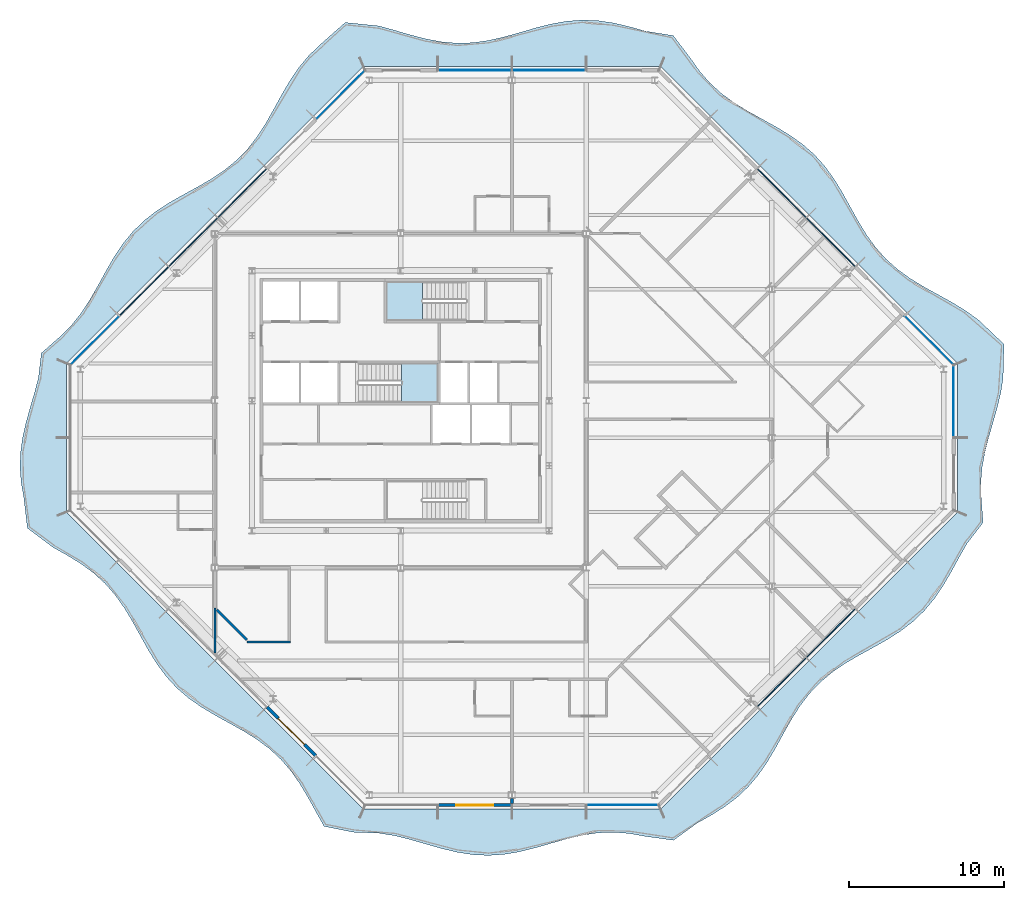
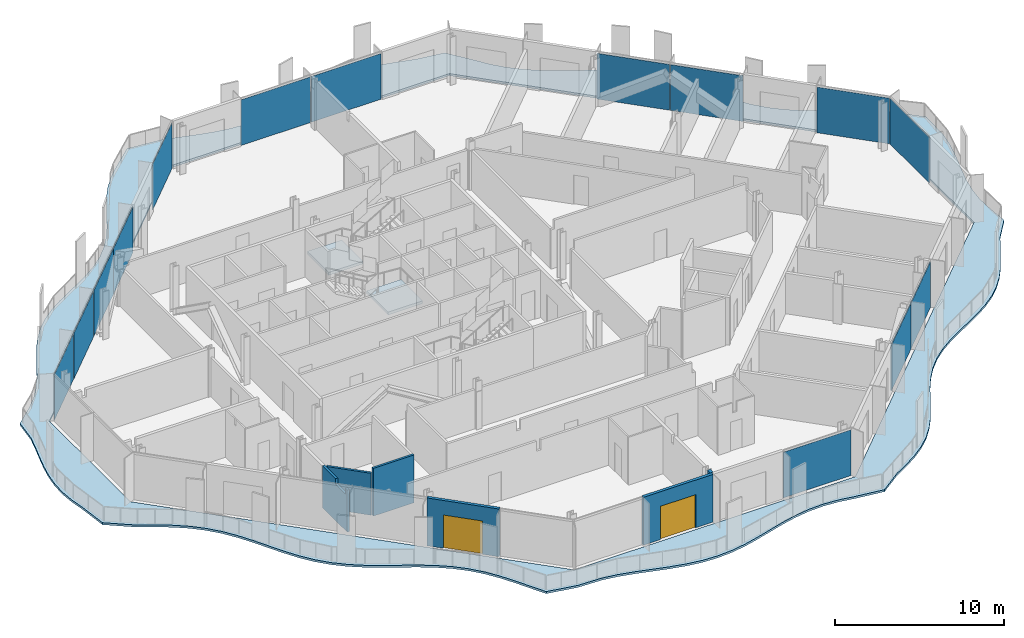
# One storey, part 6 of 17: 14 plates, 6 walls, 3 slabs, 2 doors, 2 openings, 8 elements without a shape of their own.
"""IFC4 building model written with IfcOpenShell, lengths in metres."""

from ifc_helpers import new_model, si_unit, direction, frame, frame_2d, origin, origin_2d, place, context, subcontext, project, spatial, polyline, rectangle, outline, extrude, material, layer, layer_set, type_object, element, fill, aggregate, save


model = new_model("IFC4")

# Units and contexts
model_context = context("Model", 3, precision=1e-05, world=origin(), true_north=direction((0.0, 1.0)))
body_context = subcontext(model_context, "Body", "Model", "MODEL_VIEW")
ifc_project = project(units=[si_unit("LENGTHUNIT", "METRE"), si_unit("AREAUNIT", "SQUARE_METRE"), si_unit("VOLUMEUNIT", "CUBIC_METRE"), si_unit("PLANEANGLEUNIT", "RADIAN"), si_unit("MASSUNIT", "GRAM", prefix="KILO")], contexts=[model_context])

# Site, building, storey
site_placement = place(None, origin())
site = spatial("IfcSite", under=ifc_project, at=site_placement, CompositionType="ELEMENT")
building_placement = place(site_placement, origin())
building = spatial("IfcBuilding", under=site, at=building_placement, Name="Cairn Pilgrim Tower", CompositionType="ELEMENT")
storey_placement = place(building_placement, frame((0.0, 0.0, 243.0)))
storey = spatial("IfcBuildingStorey", under=building, at=storey_placement, Name="L62", CompositionType="ELEMENT", Elevation=243.0)

# Slab
ifc_material_1 = material(Name="Concrete C35/45", Category="concrete")
ifc_layer_1 = layer(ifc_material_1, 0.14990234375)
ifc_layer_set_1 = layer_set([ifc_layer_1], Name="BALCONY SLAB 150 CONCRETE C35/45")
slab_type_1 = type_object("IfcSlabType", Name="BALCONY SLAB 150 CONCRETE C35/45", PredefinedType="FLOOR", material=ifc_layer_set_1)
slab_1_placement = place(storey_placement, frame((0.0, 0.0, -0.14990234375)))
element("IfcSlab", 1, at=slab_1_placement, inside=storey, type_object=slab_type_1, Name="Balcony slab BS-1", PredefinedType="FLOOR", context=body_context, shape_type="SweptSolid", body=[
    extrude(outline(polyline([(2.256103515625, -25.121826171875), (4.1787109375, -25.5), (5.810546875, -25.558349609375), (6.821044921875, -25.72412109375), (7.83154296875, -25.9716796875), (8.842041015625, -26.262451171875), (9.8525390625, -26.55126953125), (10.863037109375, -26.793212890625), (11.873779296875, -26.950927734375), (12.88427734375, -26.99951171875), (13.894775390625, -26.931640625), (14.9052734375, -26.758056640625), (15.915771484375, -26.505126953125), (16.92626953125, -26.212890625), (17.936767578125, -25.92626953125), (18.947265625, -25.68994140625), (19.9580078125, -25.54052734375), (20.968505859375, -25.501708984375), (21.97900390625, -25.578857421875), (22.989501953125, -25.760498046875), (24.8359375, -26.018310546875), (26.344970703125, -24.922607421875), (27.256103515625, -24.41162109375), (28.1298828125, -23.86328125), (28.941162109375, -23.25244140625), (29.6748046875, -22.563720703125), (30.326904296875, -21.793701171875), (30.906982421875, -20.951416015625), (31.434814453125, -20.056884765625), (31.938720703125, -19.138916015625), (32.450927734375, -18.228759765625), (33.001708984375, -17.357177734375), (33.61572265625, -16.549072265625), (34.30810546875, -15.8193359375), (35.081787109375, -15.170654296875), (35.9267578125, -14.593505859375), (36.822998046875, -14.0673828125), (37.741455078125, -13.563720703125), (38.650390625, -13.050537109375), (39.51953125, -12.497314453125), (40.324462890625, -11.8798828125), (41.050537109375, -11.183837890625), (41.695556640625, -10.40673828125), (42.27001953125, -9.558837890625), (42.79443359375, -8.6611328125), (43.2978515625, -7.7421875), (43.812255859375, -6.83447265625), (44.8515625, -5.484130859375), (44.72705078125, -3.840087890625), (44.704345703125, -2.8798828125), (44.7861328125, -1.919921875), (44.96142578125, -0.9599609375), (45.205078125, 0.0), (45.483154296875, 0.9599609375), (45.7568359375, 1.919921875), (45.987060546875, 2.8798828125), (46.14208984375, 3.840087890625), (46.199951171875, 6.04248046875), (44.572998046875, 7.59521484375), (43.7490234375, 8.193359375), (42.866455078125, 8.733154296875), (41.95166015625, 9.240478515625), (41.0361328125, 9.747314453125), (40.1513671875, 10.28466796875), (39.32373046875, 10.87939453125), (38.57177734375, 11.549560546875), (37.9013671875, 12.30126953125), (37.306396484375, 13.12841796875), (36.768798828125, 14.01318359375), (36.261962890625, 14.9287109375), (35.754638671875, 15.843505859375), (35.215087890625, 16.726318359375), (34.6171875, 17.550537109375), (33.943359375, 18.299072265625), (33.18798828125, 18.9658203125), (32.35791015625, 19.557861328125), (31.47119140625, 20.09326171875), (30.554931640625, 20.599365234375), (29.640869140625, 21.107666015625), (28.76025390625, 21.649169921875), (27.939208984375, 22.250244140625), (27.1943359375, 22.927734375), (26.531005859375, 23.686767578125), (25.942138671875, 24.52001953125), (24.8251953125, 25.991943359375), (22.989501953125, 26.2841796875), (21.97900390625, 26.571044921875), (20.968505859375, 26.80810546875), (19.9580078125, 26.95849609375), (18.947265625, 26.99853515625), (17.936767578125, 26.92236328125), (16.92626953125, 26.74169921875), (15.915771484375, 26.484619140625), (14.9052734375, 26.19091796875), (13.894775390625, 25.906494140625), (12.88427734375, 25.675537109375), (11.873779296875, 25.533935546875), (10.863037109375, 25.50341796875), (9.8525390625, 25.589111328125), (8.842041015625, 25.77734375), (7.83154296875, 26.0390625), (6.821044921875, 26.333740234375), (5.810546875, 26.615234375), (3.62353515625, 26.840087890625), (1.98681640625, 25.390869140625), (1.260498046875, 24.695068359375), (0.615234375, 23.91796875), (0.041015625, 23.0703125), (-0.483642578125, 22.172607421875), (-0.987060546875, 21.253662109375), (-1.50146484375, 20.345947265625), (-2.056884765625, 19.47900390625), (-2.677490234375, 18.677490234375), (-3.377197265625, 17.954833984375), (-4.15771484375, 17.313232421875), (-5.00830078125, 16.741455078125), (-5.907470703125, 16.218505859375), (-6.826416015625, 15.71533203125), (-7.733154296875, 15.19970703125), (-8.597412109375, 14.641845703125), (-9.395751953125, 14.017822265625), (-10.114501953125, 13.314453125), (-10.7529296875, 12.530517578125), (-11.32177734375, 11.67724609375), (-11.843017578125, 10.7763671875), (-12.34619140625, 9.857421875), (-12.863037109375, 8.951904296875), (-13.423583984375, 8.09033203125), (-14.05078125, 7.29541015625), (-14.7578125, 6.580078125), (-16.019775390625, 5.470947265625), (-16.213623046875, 3.840087890625), (-16.46875, 2.8798828125), (-16.74951171875, 1.919921875), (-17.01611328125, 0.9599609375), (-17.2314453125, 0.0), (-17.364990234375, -0.9599609375), (-17.398193359375, -1.919921875), (-17.326171875, -2.8798828125), (-17.159423828125, -3.840087890625), (-16.9208984375, -5.84423828125), (-15.266357421875, -7.088623046875), (-14.3525390625, -7.596923828125), (-13.4716796875, -8.138427734375), (-12.650390625, -8.7392578125), (-11.905517578125, -9.41650390625), (-11.2421875, -10.17529296875), (-10.653076171875, -11.008544921875), (-10.119384765625, -11.897216796875), (-9.61376953125, -12.813720703125), (-9.104736328125, -13.72705078125), (-8.56103515625, -14.605712890625), (-7.95703125, -15.423828125), (-7.276123046875, -16.1650390625), (-6.513671875, -16.82470703125), (-5.677490234375, -17.410888671875), (-4.787109375, -17.942626953125), (-3.869873046875, -18.447509765625), (-2.95751953125, -18.95751953125), (-2.081298828125, -19.50341796875), (-1.26611328125, -20.110595703125), (-0.528564453125, -20.795166015625), (0.12744140625, -21.561279296875), (0.710693359375, -22.400390625), (1.24072265625, -23.292724609375), (1.7451171875, -24.21044921875), (2.256103515625, -25.121826171875)]), holes=[polyline([(24.0, -24.0), (4.800048828125, -24.0), (-14.39990234375, -4.800048828125), (-14.39990234375, 4.800048828125), (4.800048828125, 24.0), (24.0, 24.0), (43.199951171875, 4.800048828125), (43.199951171875, -4.800048828125), (24.0, -24.0)])]), origin(), (0.0, 0.0, 1.0), 0.14990234375),
])

# Curtain wall, plates
ifc_material_2 = material(Name="Aluminium alloy 6063-T6 bronze anodised with Bronze tinted laminated low-E glass 8+16+8.8", Category="aluminium")
curtain_wall_type_1 = type_object("IfcCurtainWallType", Name="CHAMFER CORNER CURTAIN WALL", PredefinedType="NOTDEFINED", material=ifc_material_2)
curtain_wall_1_placement = place(storey_placement, origin())
curtain_wall_1 = element("IfcCurtainWall", 2, at=curtain_wall_1_placement, inside=storey, type_object=curtain_wall_type_1, Name="Chamfer Corner Curtain Wall SE", PredefinedType="NOTDEFINED")
ifc_material_3 = material(Name="Bronze anodised aluminium spandrel panel with mineral wool insulation", Category="aluminium")
ifc_layer_2 = layer(ifc_material_3, 0.06005859375)
ifc_layer_set_2 = layer_set([ifc_layer_2], Name="SPANDREL PANEL 4431x3300")
plate_type_1 = type_object("IfcPlateType", Name="SPANDREL PANEL 4431x3300", PredefinedType="CURTAIN_PANEL", material=ifc_layer_set_2)
plate_1_placement = place(storey_placement, frame((31.83544921875, -15.81103515625, 0.0), z_axis=(0.0, 0.0, 1.0), x_axis=(0.707106781187, 0.707106781187, 0.0)))
plate_1 = element("IfcPlate", 3, at=plate_1_placement, type_object=plate_type_1, Name="Spandrel Panel SE3-1", PredefinedType="CURTAIN_PANEL", context=body_context, shape_type="SweptSolid", body=[
    extrude(rectangle(XDim=4.430908203125, YDim=0.06005859375, at=origin_2d()), origin(), (0.0, 0.0, 1.0), 3.300048828125),
])
plate_2_placement = place(storey_placement, frame((35.010986328125, -12.635498046875, 0.0), z_axis=(0.0, 0.0, 1.0), x_axis=(0.707106781187, 0.707106781187, 0.0)))
plate_2 = element("IfcPlate", 4, at=plate_2_placement, type_object=plate_type_1, Name="Spandrel Panel SE4-1", PredefinedType="CURTAIN_PANEL", context=body_context, shape_type="SweptSolid", body=[
    extrude(rectangle(XDim=4.430908203125, YDim=0.06005859375, at=origin_2d()), origin(), (0.0, 0.0, 1.0), 3.300048828125),
])
aggregate(curtain_wall_1, [plate_1, plate_2])

curtain_wall_2_placement = place(storey_placement, origin())
curtain_wall_2 = element("IfcCurtainWall", 5, at=curtain_wall_2_placement, inside=storey, type_object=curtain_wall_type_1, Name="Chamfer Corner Curtain Wall NE", PredefinedType="NOTDEFINED")
plate_3_placement = place(storey_placement, frame((35.010986328125, 12.635498046875, 0.0), z_axis=(0.0, 0.0, 1.0), x_axis=(-0.707106781187, 0.707106781187, 0.0)))
plate_3 = element("IfcPlate", 6, at=plate_3_placement, type_object=plate_type_1, Name="Spandrel Panel NE3-1", PredefinedType="CURTAIN_PANEL", context=body_context, shape_type="SweptSolid", body=[
    extrude(rectangle(XDim=4.430908203125, YDim=0.06005859375, at=origin_2d()), origin(), (0.0, 0.0, 1.0), 3.300048828125),
])
plate_4_placement = place(storey_placement, frame((31.83544921875, 15.81103515625, 0.0), z_axis=(0.0, 0.0, 1.0), x_axis=(-0.707106781187, 0.707106781187, 0.0)))
plate_4 = element("IfcPlate", 7, at=plate_4_placement, type_object=plate_type_1, Name="Spandrel Panel NE4-1", PredefinedType="CURTAIN_PANEL", context=body_context, shape_type="SweptSolid", body=[
    extrude(rectangle(XDim=4.430908203125, YDim=0.06005859375, at=origin_2d()), origin(), (0.0, 0.0, 1.0), 3.300048828125),
])

curtain_wall_3_placement = place(storey_placement, origin())
curtain_wall_3 = element("IfcCurtainWall", 8, at=curtain_wall_3_placement, inside=storey, type_object=curtain_wall_type_1, Name="Chamfer Corner Curtain Wall NW", PredefinedType="NOTDEFINED")
plate_5_placement = place(storey_placement, frame((-3.035400390625, 15.81103515625, 0.0), z_axis=(0.0, 0.0, 1.0), x_axis=(-0.707106781187, -0.707106781187, 0.0)))
plate_5 = element("IfcPlate", 9, at=plate_5_placement, type_object=plate_type_1, Name="Spandrel Panel NW3-1", PredefinedType="CURTAIN_PANEL", context=body_context, shape_type="SweptSolid", body=[
    extrude(rectangle(XDim=4.430908203125, YDim=0.06005859375, at=origin_2d()), origin(), (0.0, 0.0, 1.0), 3.300048828125),
])
plate_6_placement = place(storey_placement, frame((-6.2109375, 12.635498046875, 0.0), z_axis=(0.0, 0.0, 1.0), x_axis=(-0.707106781187, -0.707106781187, 0.0)))
plate_6 = element("IfcPlate", 10, at=plate_6_placement, type_object=plate_type_1, Name="Spandrel Panel NW4-1", PredefinedType="CURTAIN_PANEL", context=body_context, shape_type="SweptSolid", body=[
    extrude(rectangle(XDim=4.430908203125, YDim=0.06005859375, at=origin_2d()), origin(), (0.0, 0.0, 1.0), 3.300048828125),
])
plate_7_placement = place(storey_placement, frame((-9.38671875, 9.459716796875, 0.0), z_axis=(0.0, 0.0, 1.0), x_axis=(-0.707106781187, -0.707106781187, 0.0)))
plate_7 = element("IfcPlate", 11, at=plate_7_placement, type_object=plate_type_1, Name="Spandrel Panel NW5-1", PredefinedType="CURTAIN_PANEL", context=body_context, shape_type="SweptSolid", body=[
    extrude(rectangle(XDim=4.430908203125, YDim=0.06005859375, at=origin_2d()), origin(), (0.0, 0.0, 1.0), 3.300048828125),
])

# Stair, slab
ifc_material_4 = material(Name="Concrete C32/40", Category="concrete")
stair_type = type_object("IfcStairType", Name="EXIT STAIR 1200", PredefinedType="HALF_TURN_STAIR", material=ifc_material_4)
stair_1_placement = place(storey_placement, origin())
stair_1 = element("IfcStair", 12, at=stair_1_placement, inside=storey, type_object=stair_type, Name="L62 Exit Stair B", PredefinedType="HALF_TURN_STAIR")
ifc_layer_3 = layer(ifc_material_4, 0.199951171875)
ifc_layer_set_3 = layer_set([ifc_layer_3], Name="STAIR LANDING 200")
slab_type_2 = type_object("IfcSlabType", Name="STAIR LANDING 200", PredefinedType="LANDING", material=ifc_layer_set_3)
slab_2_placement = place(storey_placement, frame((0.0, 0.0, 1.60009765625)))
slab_2 = element("IfcSlab", 13, at=slab_2_placement, type_object=slab_type_2, Name="ST-B landing 1", PredefinedType="LANDING", context=body_context, shape_type="SweptSolid", body=[
    extrude(outline(polyline([(7.27490234375, 2.27490234375), (9.625, 2.27490234375), (9.625, 4.824951171875), (7.27490234375, 4.824951171875), (7.27490234375, 2.27490234375)])), origin(), (0.0, 0.0, 1.0), 0.199951171875),
])
aggregate(stair_1, [slab_2])

stair_2_placement = place(storey_placement, origin())
stair_2 = element("IfcStair", 14, at=stair_2_placement, inside=storey, type_object=stair_type, Name="L62 Exit Stair C", PredefinedType="HALF_TURN_STAIR")
slab_3_placement = place(storey_placement, frame((0.0, 0.0, 1.60009765625)))
slab_3 = element("IfcSlab", 15, at=slab_3_placement, type_object=slab_type_2, Name="ST-C landing 1", PredefinedType="LANDING", context=body_context, shape_type="SweptSolid", body=[
    extrude(outline(polyline([(8.625, 10.10009765625), (6.27490234375, 10.10009765625), (6.27490234375, 7.574951171875), (8.625, 7.574951171875), (8.625, 10.10009765625)])), origin(), (0.0, 0.0, 1.0), 0.199951171875),
])
aggregate(stair_2, [slab_3])

# Plate
ifc_material_5 = material(Name="Bronze tinted laminated low-E glass 8+16+8.8", Category="glass")
ifc_layer_4 = layer(ifc_material_5, 0.033935546875)
ifc_layer_set_4 = layer_set([ifc_layer_4], Name="VISION GLAZING 4421x3300")
plate_type_2 = type_object("IfcPlateType", Name="VISION GLAZING 4421x3300", PredefinedType="CURTAIN_PANEL", material=ifc_layer_set_4)
plate_8_placement = place(storey_placement, frame((41.358642578125, 6.287841796875, 0.0), z_axis=(0.0, 0.0, 1.0), x_axis=(-0.707106781187, 0.707106781187, 0.0)))
plate_8 = element("IfcPlate", 16, at=plate_8_placement, type_object=plate_type_2, Name="Vision Glazing NE1-1", PredefinedType="CURTAIN_PANEL", context=body_context, shape_type="SweptSolid", body=[
    extrude(rectangle(XDim=4.4208984375, YDim=0.033935546875, at=origin_2d()), origin(), (0.0, 0.0, 1.0), 3.300048828125),
])

aggregate(curtain_wall_2, [plate_8, plate_3, plate_4])

plate_9_placement = place(storey_placement, frame((3.312255859375, 22.15869140625, 0.0), z_axis=(0.0, 0.0, 1.0), x_axis=(-0.707106781187, -0.707106781187, 0.0)))
plate_9 = element("IfcPlate", 17, at=plate_9_placement, type_object=plate_type_2, Name="Vision Glazing NW1-1", PredefinedType="CURTAIN_PANEL", context=body_context, shape_type="SweptSolid", body=[
    extrude(rectangle(XDim=4.4208984375, YDim=0.033935546875, at=origin_2d()), origin(), (0.0, 0.0, 1.0), 3.300048828125),
])

plate_10_placement = place(storey_placement, frame((-12.55859375, 6.287841796875, 0.0), z_axis=(0.0, 0.0, 1.0), x_axis=(-0.707106781187, -0.707106781187, 0.0)))
plate_10 = element("IfcPlate", 18, at=plate_10_placement, type_object=plate_type_2, Name="Vision Glazing NW6-1", PredefinedType="CURTAIN_PANEL", context=body_context, shape_type="SweptSolid", body=[
    extrude(rectangle(XDim=4.4208984375, YDim=0.033935546875, at=origin_2d()), origin(), (0.0, 0.0, 1.0), 3.300048828125),
])

aggregate(curtain_wall_3, [plate_9, plate_5, plate_6, plate_7, plate_10])

# Curtain wall, plate
curtain_wall_type_2 = type_object("IfcCurtainWallType", Name="TOWER STICK CURTAIN WALL NS", PredefinedType="NOTDEFINED", material=ifc_material_2)
curtain_wall_4_placement = place(storey_placement, origin())
curtain_wall_4 = element("IfcCurtainWall", 19, at=curtain_wall_4_placement, inside=storey, type_object=curtain_wall_type_2, Name="Tower Stick Curtain Wall Ns S", PredefinedType="NOTDEFINED")
ifc_layer_5 = layer(ifc_material_5, 0.033935546875)
ifc_layer_set_5 = layer_set([ifc_layer_5], Name="VISION GLAZING 4626x3300")
plate_type_3 = type_object("IfcPlateType", Name="VISION GLAZING 4626x3300", PredefinedType="CURTAIN_PANEL", material=ifc_layer_set_5)
plate_11_placement = place(storey_placement, frame((21.543212890625, -23.75, 0.0), z_axis=(0.0, 0.0, 1.0), x_axis=(1.0, 0.0, 0.0)))
plate_11 = element("IfcPlate", 20, at=plate_11_placement, type_object=plate_type_3, Name="Vision Glazing S4-1", PredefinedType="CURTAIN_PANEL", context=body_context, shape_type="SweptSolid", body=[
    extrude(rectangle(XDim=4.62646484375, YDim=0.033935546875, at=origin_2d()), origin(), (0.0, 0.0, 1.0), 3.300048828125),
])
aggregate(curtain_wall_4, [plate_11])

curtain_wall_type_3 = type_object("IfcCurtainWallType", Name="TOWER STICK CURTAIN WALL EW", PredefinedType="NOTDEFINED", material=ifc_material_2)
curtain_wall_5_placement = place(storey_placement, origin())
curtain_wall_5 = element("IfcCurtainWall", 21, at=curtain_wall_5_placement, inside=storey, type_object=curtain_wall_type_3, Name="Tower Stick Curtain Wall Ew E", PredefinedType="NOTDEFINED")
plate_12_placement = place(storey_placement, frame((42.949951171875, 2.34326171875, 0.0), z_axis=(0.0, 0.0, 1.0), x_axis=(0.0, 1.0, 0.0)))
plate_12 = element("IfcPlate", 22, at=plate_12_placement, type_object=plate_type_3, Name="Vision Glazing E2-1", PredefinedType="CURTAIN_PANEL", context=body_context, shape_type="SweptSolid", body=[
    extrude(rectangle(XDim=4.62646484375, YDim=0.033935546875, at=origin_2d()), origin(), (0.0, 0.0, 1.0), 3.300048828125),
])
aggregate(curtain_wall_5, [plate_12])

# Curtain wall, plates
curtain_wall_6_placement = place(storey_placement, origin())
curtain_wall_6 = element("IfcCurtainWall", 23, at=curtain_wall_6_placement, inside=storey, type_object=curtain_wall_type_2, Name="Tower Stick Curtain Wall Ns N", PredefinedType="NOTDEFINED")
ifc_layer_6 = layer(ifc_material_5, 0.033935546875)
ifc_layer_set_6 = layer_set([ifc_layer_6], Name="VISION GLAZING 4740x3300")
plate_type_4 = type_object("IfcPlateType", Name="VISION GLAZING 4740x3300", PredefinedType="CURTAIN_PANEL", material=ifc_layer_set_6)
plate_13_placement = place(storey_placement, frame((16.800048828125, 23.75, 0.0), z_axis=(0.0, 0.0, 1.0), x_axis=(-1.0, 0.0, 0.0)))
plate_13 = element("IfcPlate", 24, at=plate_13_placement, type_object=plate_type_4, Name="Vision Glazing N2-1", PredefinedType="CURTAIN_PANEL", context=body_context, shape_type="SweptSolid", body=[
    extrude(rectangle(XDim=4.739990234375, YDim=0.033935546875, at=origin_2d()), origin(), (0.0, 0.0, 1.0), 3.300048828125),
])
plate_14_placement = place(storey_placement, frame((12.0, 23.75, 0.0), z_axis=(0.0, 0.0, 1.0), x_axis=(-1.0, 0.0, 0.0)))
plate_14 = element("IfcPlate", 25, at=plate_14_placement, type_object=plate_type_4, Name="Vision Glazing N3-1", PredefinedType="CURTAIN_PANEL", context=body_context, shape_type="SweptSolid", body=[
    extrude(rectangle(XDim=4.739990234375, YDim=0.033935546875, at=origin_2d()), origin(), (0.0, 0.0, 1.0), 3.300048828125),
])
aggregate(curtain_wall_6, [plate_13, plate_14])

# Wall, opening, door
ifc_material_6 = material(Name="Bronze anodised aluminium insulated sandwich panel with mineral wool fill", Category="aluminium")
ifc_layer_7 = layer(ifc_material_6, 0.199951171875)
ifc_layer_set_7 = layer_set([ifc_layer_7], Name="BRONZE INFILL FRAME WALL 200")
wall_type_1 = type_object("IfcWallType", Name="BRONZE INFILL FRAME WALL 200", PredefinedType="NOTDEFINED", material=ifc_layer_set_7)
wall_1_placement = place(storey_placement, frame((9.6298828125, -23.75, 0.0), z_axis=(0.0, 0.0, 1.0), x_axis=(1.0, 0.0, 0.0)))
wall_1 = element("IfcWall", 26, at=wall_1_placement, inside=storey, type_object=wall_type_1, Name="Bronze infill frame wall IW-S2", PredefinedType="NOTDEFINED", context=body_context, shape_type="SweptSolid", body=[
    extrude(rectangle(XDim=4.740234375, YDim=0.199951171875, at=frame_2d((2.3701171875, 0.0))), origin(), (0.0, 0.0, 1.0), 3.449951171875),
])
opening_1_placement = place(wall_1_placement, frame((1.169921875, 0.0, 0.0)))
opening_1 = element("IfcOpeningElement", 27, at=opening_1_placement, cuts=wall_1, Name="Opening 6215B2", PredefinedType="OPENING", context=body_context, shape_type="SweptSolid", body=[
    extrude(rectangle(XDim=2.39990234375, YDim=2.39990234375, at=frame_2d((1.199951171875, 1.199951171875))), frame((0.0, 0.10986328125, 0.0), z_axis=(0.0, -1.0, 0.0), x_axis=(1.0, 0.0, 0.0)), (0.0, 0.0, 1.0), 0.219970703125),
])
ifc_material_7 = material(Name="Bronze anodised aluminium frame with tinted low-E glass", Category="aluminium")
door_type = type_object("IfcDoorType", Name="BALCONY SLIDING DOOR 2400x2400", OperationType="DOUBLE_DOOR_SLIDING", PredefinedType="DOOR", material=ifc_material_7)
door_1_placement = place(opening_1_placement, origin())
door_1 = element("IfcDoor", 28, at=door_1_placement, inside=storey, type_object=door_type, Name="Balcony sliding door 6215B2", OperationType="SINGLE_SWING_LEFT", OverallHeight=2.39990234375, OverallWidth=2.39990234375, PredefinedType="DOOR", context=body_context, shape_type="SweptSolid", body=[
    extrude(rectangle(XDim=2.39990234375, YDim=2.39990234375, at=frame_2d((1.199951171875, 1.199951171875))), frame((0.0, 0.02490234375, 0.0), z_axis=(0.0, -1.0, 0.0), x_axis=(1.0, 0.0, 0.0)), (0.0, 0.0, 1.0), 0.050048828125),
])
fill(opening_1, door_1)

wall_2_placement = place(storey_placement, frame((-1.426513671875, -17.419921875, 0.0), z_axis=(0.0, 0.0, 1.0), x_axis=(0.707106781187, -0.707106781187, 0.0)))
wall_2 = element("IfcWall", 29, at=wall_2_placement, inside=storey, type_object=wall_type_1, Name="Bronze infill frame wall IW-SW5", PredefinedType="NOTDEFINED", context=body_context, shape_type="SweptSolid", body=[
    extrude(rectangle(XDim=4.43115234375, YDim=0.199951171875, at=frame_2d((2.215576171875, 0.0))), origin(), (0.0, 0.0, 1.0), 3.449951171875),
])
opening_2_placement = place(wall_2_placement, frame((1.01513671875, 0.0, 0.0)))
opening_2 = element("IfcOpeningElement", 30, at=opening_2_placement, cuts=wall_2, Name="Opening 6215B", PredefinedType="OPENING", context=body_context, shape_type="SweptSolid", body=[
    extrude(rectangle(XDim=2.39990234375, YDim=2.39990234375, at=frame_2d((1.199951171875, 1.199951171875))), frame((0.0, 0.10986328125, 0.0), z_axis=(0.0, -1.0, 0.0), x_axis=(1.0, 0.0, 0.0)), (0.0, 0.0, 1.0), 0.219970703125),
])
door_2_placement = place(opening_2_placement, origin())
door_2 = element("IfcDoor", 31, at=door_2_placement, inside=storey, type_object=door_type, Name="Balcony sliding door 6215B", OperationType="SINGLE_SWING_LEFT", OverallHeight=2.39990234375, OverallWidth=2.39990234375, PredefinedType="DOOR", context=body_context, shape_type="SweptSolid", body=[
    extrude(rectangle(XDim=2.39990234375, YDim=2.39990234375, at=frame_2d((1.199951171875, 1.199951171875))), frame((0.0, 0.02490234375, 0.0), z_axis=(0.0, -1.0, 0.0), x_axis=(1.0, 0.0, 0.0)), (0.0, 0.0, 1.0), 0.050048828125),
])
fill(opening_2, door_2)

# Walls
ifc_material_8 = material(Name="Gypsum partition")
ifc_layer_8 = layer(ifc_material_8, 0.14990234375)
ifc_layer_set_8 = layer_set([ifc_layer_8], Name="PARTITION 150 DRYWALL EI 60")
wall_type_2 = type_object("IfcWallType", Name="PARTITION 150 DRYWALL EI 60", PredefinedType="PARTITIONING", material=ifc_layer_set_8)
wall_3_placement = place(storey_placement, frame((-4.800048828125, -13.926025390625, 0.0), z_axis=(0.0, 0.0, 1.0), x_axis=(0.0, 1.0, 0.0)))
element("IfcWall", 32, at=wall_3_placement, inside=storey, type_object=wall_type_2, Name="PARTITION W014", PredefinedType="PARTITIONING", context=body_context, shape_type="SweptSolid", body=[
    extrude(outline(polyline([(0.0, 0.0), (2.919921875, 0.0), (2.920166015625, 3.030029296875), (1.368896484375, 3.030029296875), (1.366943359375, 2.6298828125), (0.22900390625, 2.6298828125), (0.226806640625, 3.030029296875), (0.0, 3.030029296875), (0.0, 0.0)])), frame((0.0, 0.074951171875, 0.0), z_axis=(0.0, -1.0, 0.0), x_axis=(1.0, 0.0, 0.0)), (0.0, 0.0, 1.0), 0.14990234375),
])
wall_4_placement = place(storey_placement, frame((-2.712158203125, -13.199951171875, 0.0), z_axis=(0.0, 0.0, 1.0), x_axis=(1.0, 0.0, 0.0)))
element("IfcWall", 33, at=wall_4_placement, inside=storey, type_object=wall_type_2, Name="PARTITION W015", PredefinedType="PARTITIONING", context=body_context, shape_type="SweptSolid", body=[
    extrude(rectangle(XDim=2.787109375, YDim=0.14990234375, at=frame_2d((1.3935546875, 0.0))), origin(), (0.0, 0.0, 1.0), 3.449951171875),
])
wall_5_placement = place(storey_placement, frame((-2.73388671875, -13.072021484375, 0.0), z_axis=(0.0, 0.0, 1.0), x_axis=(-0.707151316332, 0.707062243236, 0.0)))
element("IfcWall", 34, at=wall_5_placement, inside=storey, type_object=wall_type_2, Name="PARTITION W017", PredefinedType="PARTITIONING", context=body_context, shape_type="SweptSolid", body=[
    extrude(rectangle(XDim=2.740966796875, YDim=0.14990234375, at=frame_2d((1.37060546875, 0.0))), origin(), (0.0, 0.0, 1.0), 3.030029296875),
])
ifc_layer_9 = layer(ifc_material_8, 0.199951171875)
ifc_layer_set_9 = layer_set([ifc_layer_9], Name="SHAFT WALL 200 GYPSUM EI 60")
wall_type_3 = type_object("IfcWallType", Name="SHAFT WALL 200 GYPSUM EI 60", PredefinedType="PARTITIONING", material=ifc_layer_set_9)
wall_6_placement = place(storey_placement, frame((14.39990234375, -23.64990234375, 0.0), z_axis=(0.0, 0.0, 1.0), x_axis=(0.0, 1.0, 0.0)))
element("IfcWall", 35, at=wall_6_placement, inside=storey, type_object=wall_type_3, Name="PARTITION W001", PredefinedType="PARTITIONING", context=body_context, shape_type="SweptSolid", body=[
    extrude(rectangle(XDim=0.346435546875, YDim=0.199951171875, at=frame_2d((0.17333984375, 0.0))), origin(), (0.0, 0.0, 1.0), 3.449951171875),
])

save(model, "model.ifc")
